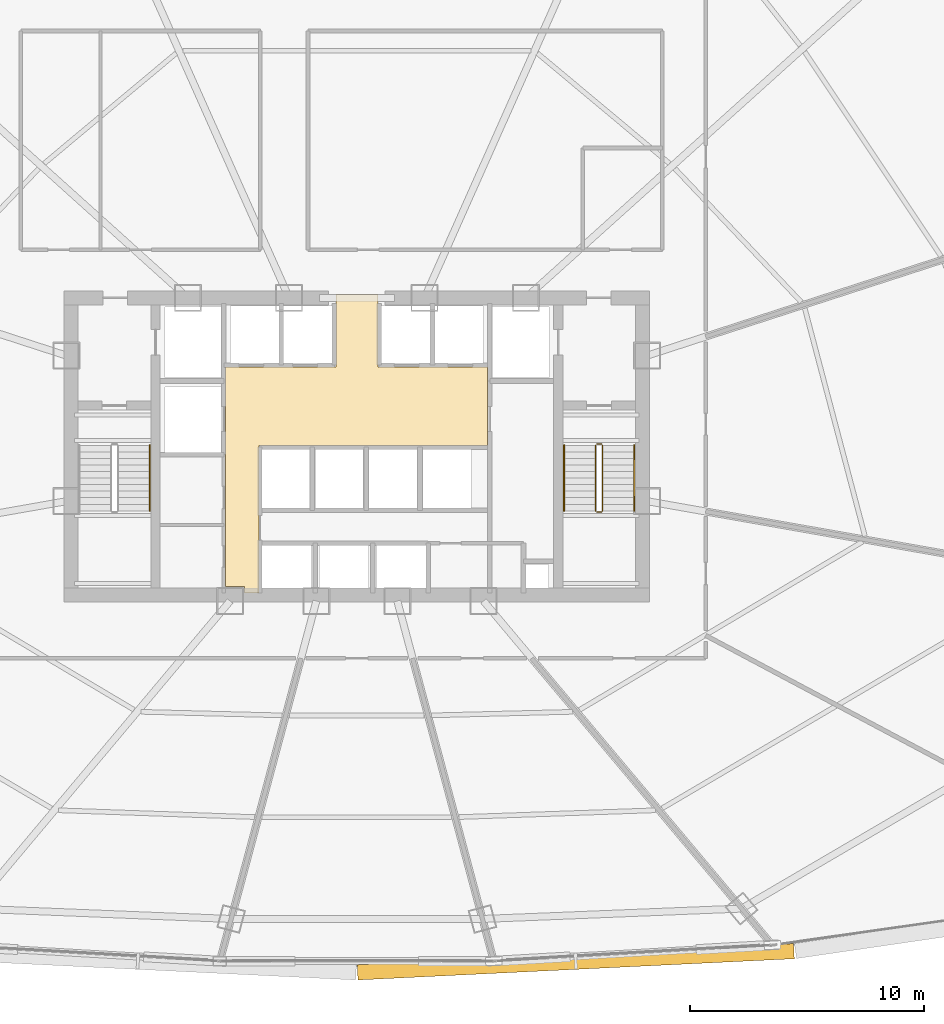
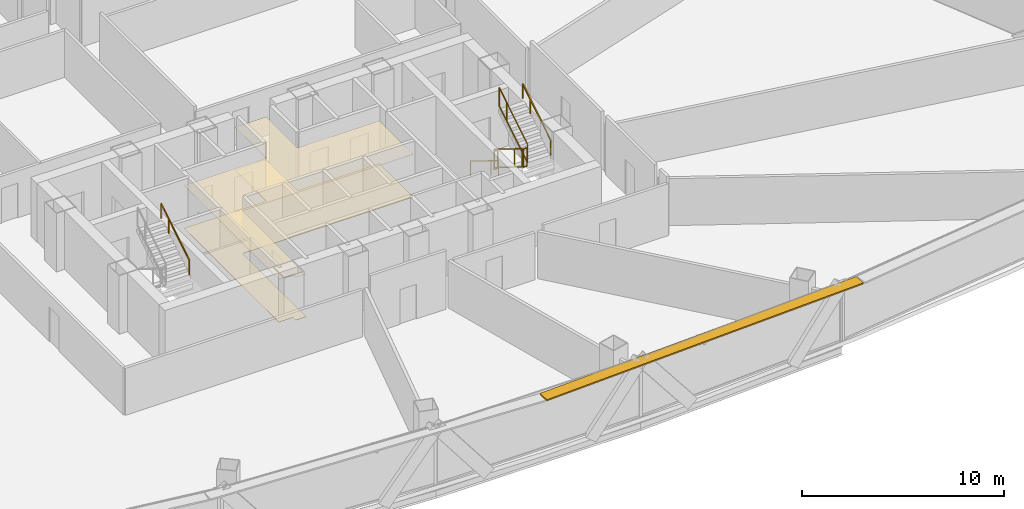
# One storey, part 37 of 39: 7 railings, 2 coverings, 1 shading device.
"""IFC4 building model written with IfcOpenShell, lengths in metres."""

from ifc_helpers import new_model, si_unit, direction, frame, origin, origin_2d, place, context, subcontext, project, spatial, polyline, rectangle, outline, extrude, source, transform, mapped, material, layer, layer_set, type_object, element, save


model = new_model("IFC4")

# Units and contexts
model_context = context("Model", 3, precision=1e-05, world=origin(), true_north=direction((0.0, 1.0)))
body_context = subcontext(model_context, "Body", "Model", "MODEL_VIEW")
ifc_project = project(units=[si_unit("LENGTHUNIT", "METRE"), si_unit("AREAUNIT", "SQUARE_METRE"), si_unit("VOLUMEUNIT", "CUBIC_METRE"), si_unit("PLANEANGLEUNIT", "RADIAN"), si_unit("MASSUNIT", "GRAM", prefix="KILO"), si_unit("THERMODYNAMICTEMPERATUREUNIT", "KELVIN"), si_unit("POWERUNIT", "WATT")], contexts=[model_context])

# Site, building, storey
site_placement = place(None, origin())
site = spatial("IfcSite", under=ifc_project, at=site_placement, CompositionType="ELEMENT")
building_placement = place(site_placement, origin())
building = spatial("IfcBuilding", under=site, at=building_placement, Name="Yunzhuo Pagoda Commons", CompositionType="ELEMENT")
storey_placement = place(building_placement, frame((0.0, 0.0, 92.580078125)))
storey = spatial("IfcBuildingStorey", under=building, at=storey_placement, Name="L23", CompositionType="ELEMENT", Elevation=92.580078125)

# Coverings
ifc_material_1 = material(Name="Mineral fibre acoustic ceiling board")
ifc_layer_1 = layer(ifc_material_1, 0.02490234375)
ifc_layer_set_1 = layer_set([ifc_layer_1], Name="Mineral fibre acoustic ceiling board")
covering_type_1 = type_object("IfcCoveringType", Name="COV-CL1 Ceiling 25", PredefinedType="CEILING", material=ifc_layer_set_1)
covering_1_placement = place(storey_placement, frame((0.0, 0.0, 2.58984375)))
element("IfcCovering", 1, at=covering_1_placement, inside=storey, type_object=covering_type_1, Name="L23 lift lobby acoustic ceiling", PredefinedType="CEILING", context=body_context, shape_type="SweptSolid", body=[
    extrude(outline(polyline([(43.207763671875, 27.85009765625), (43.201904296875, 27.864013671875), (43.187744140625, 27.8701171875), (42.39990234375, 27.8701171875), (42.39990234375, 33.89990234375), (42.39990234375, 37.25), (47.10009765625, 37.25), (47.10009765625, 40.35009765625), (48.89990234375, 40.35009765625), (48.89990234375, 37.25), (53.580078125, 37.25), (53.580078125, 33.89990234375), (43.820068359375, 33.89990234375), (43.820068359375, 27.60009765625), (43.207763671875, 27.60009765625), (43.207763671875, 27.85009765625)])), origin(), (0.0, 0.0, 1.0), 0.025146484375),
])
ifc_material_2 = material(Name="Porcelain ceramic floor tile")
ifc_layer_2 = layer(ifc_material_2, 0.02001953125)
ifc_layer_set_2 = layer_set([ifc_layer_2], Name="Porcelain ceramic floor tile")
covering_type_2 = type_object("IfcCoveringType", Name="COV-FL1 Flooring 20", PredefinedType="FLOORING", material=ifc_layer_set_2)
covering_2_placement = place(storey_placement, origin())
element("IfcCovering", 2, at=covering_2_placement, inside=storey, type_object=covering_type_2, Name="L23 lift lobby flooring", PredefinedType="FLOORING", context=body_context, shape_type="SweptSolid", body=[
    extrude(outline(polyline([(43.207763671875, 27.85009765625), (43.201904296875, 27.864013671875), (43.187744140625, 27.8701171875), (42.39990234375, 27.8701171875), (42.39990234375, 33.89990234375), (42.39990234375, 37.25), (47.10009765625, 37.25), (47.10009765625, 40.35009765625), (48.89990234375, 40.35009765625), (48.89990234375, 37.25), (53.580078125, 37.25), (53.580078125, 33.89990234375), (43.820068359375, 33.89990234375), (43.820068359375, 27.60009765625), (43.207763671875, 27.60009765625), (43.207763671875, 27.85009765625)])), origin(), (0.0, 0.0, 1.0), 0.02001953125),
])

# Railings
ifc_material_3 = material(Name="Anodized aluminium 6063-T6", Category="aluminium")
railing_type_1 = type_object("IfcRailingType", Name="GR-ST2 Stair Well Guardrail 1160", PredefinedType="GUARDRAIL", material=ifc_material_3)
railing_1_placement = place(storey_placement, frame((58.199951171875, 33.89990234375, 0.172607421875)))
element("IfcRailing", 3, at=railing_1_placement, inside=storey, type_object=railing_type_1, Name="L23 ST2 stair guard 1", PredefinedType="GUARDRAIL", context=body_context, shape_type="SweptSolid", body=[
    extrude(rectangle(XDim=0.048095703125, YDim=0.048095703125, at=origin_2d()), frame((0.0, 0.0, 1.1259765625), z_axis=(0.0, -0.851069175582, 0.525053576669), x_axis=(1.0, 0.0, 0.0)), (0.0, 0.0, 1.0), 3.289794921875),
    extrude(rectangle(XDim=0.048095703125, YDim=0.048095703125, at=origin_2d()), frame((0.0, 0.0, 0.02392578125), z_axis=(0.0, -0.851069175582, 0.525053576669), x_axis=(1.0, 0.0, 0.0)), (0.0, 0.0, 1.0), 3.289794921875),
    extrude(rectangle(XDim=0.0419921875, YDim=0.0419921875, at=origin_2d()), origin(), (0.0, 0.0, 1.0), 1.101806640625),
    extrude(rectangle(XDim=0.0419921875, YDim=0.0419921875, at=origin_2d()), frame((0.0, -2.04248046875, 1.260009765625)), (0.0, 0.0, 1.0), 1.101806640625),
    extrude(rectangle(XDim=0.0419921875, YDim=0.0419921875, at=origin_2d()), frame((0.0, -2.7998046875, 1.727294921875)), (0.0, 0.0, 1.0), 1.101806640625),
])
railing_2_placement = place(storey_placement, frame((58.25, 31.050048828125, 1.89990234375)))
element("IfcRailing", 4, at=railing_2_placement, inside=storey, type_object=railing_type_1, Name="L23 ST2 stair guard 2", PredefinedType="GUARDRAIL", context=body_context, shape_type="SweptSolid", body=[
    extrude(rectangle(XDim=0.048095703125, YDim=0.048095703125, at=origin_2d()), frame((0.0, 0.0, 1.1259765625), z_axis=(1.0, 0.0, 0.0), x_axis=(0.0, 1.0, 0.0)), (0.0, 0.0, 1.0), 0.199951171875),
    extrude(rectangle(XDim=0.048095703125, YDim=0.048095703125, at=origin_2d()), frame((0.0, 0.0, 0.02392578125), z_axis=(1.0, 0.0, 0.0), x_axis=(0.0, 1.0, 0.0)), (0.0, 0.0, 1.0), 0.199951171875),
    extrude(rectangle(XDim=0.0419921875, YDim=0.0419921875, at=origin_2d()), origin(), (0.0, 0.0, 1.0), 1.101806640625),
    extrude(rectangle(XDim=0.0419921875, YDim=0.0419921875, at=origin_2d()), frame((0.199951171875, 0.0, 0.0)), (0.0, 0.0, 1.0), 1.101806640625),
])
railing_3_placement = place(storey_placement, frame((58.5, 31.10009765625, 2.07275390625)))
element("IfcRailing", 5, at=railing_3_placement, inside=storey, type_object=railing_type_1, Name="L23 ST2 stair guard 3", PredefinedType="GUARDRAIL", context=body_context, shape_type="SweptSolid", body=[
    extrude(rectangle(XDim=0.048095703125, YDim=0.048095703125, at=origin_2d()), frame((0.0, 0.0, 1.1259765625), z_axis=(0.0, 0.851102337555, 0.524999820009), x_axis=(-1.0, 0.0, 0.0)), (0.0, 0.0, 1.0), 3.28955078125),
    extrude(rectangle(XDim=0.048095703125, YDim=0.048095703125, at=origin_2d()), frame((0.0, 0.0, 0.02392578125), z_axis=(0.0, 0.851102337555, 0.524999820009), x_axis=(-1.0, 0.0, 0.0)), (0.0, 0.0, 1.0), 3.28955078125),
    extrude(rectangle(XDim=0.0419921875, YDim=0.0419921875, at=origin_2d()), origin(), (0.0, 0.0, 1.0), 1.101806640625),
    extrude(rectangle(XDim=0.0419921875, YDim=0.0419921875, at=origin_2d()), frame((0.0, 2.042724609375, 1.260009765625)), (0.0, 0.0, 1.0), 1.101806640625),
    extrude(rectangle(XDim=0.0419921875, YDim=0.0419921875, at=origin_2d()), frame((0.0, 2.7998046875, 1.72705078125)), (0.0, 0.0, 1.0), 1.101806640625),
])
railing_4_placement = place(storey_placement, frame((58.25, 33.949951171875, 0.0)))
element("IfcRailing", 6, at=railing_4_placement, inside=storey, type_object=railing_type_1, Name="L23 ST2 stair guard 4", PredefinedType="GUARDRAIL", context=body_context, shape_type="SweptSolid", body=[
    extrude(rectangle(XDim=0.048095703125, YDim=0.048095703125, at=origin_2d()), frame((0.0, 0.0, 1.1259765625), z_axis=(1.0, 0.0, 0.0), x_axis=(0.0, 1.0, 0.0)), (0.0, 0.0, 1.0), 0.199951171875),
    extrude(rectangle(XDim=0.048095703125, YDim=0.048095703125, at=origin_2d()), frame((0.0, 0.0, 0.02392578125), z_axis=(1.0, 0.0, 0.0), x_axis=(0.0, 1.0, 0.0)), (0.0, 0.0, 1.0), 0.199951171875),
    extrude(rectangle(XDim=0.0419921875, YDim=0.0419921875, at=origin_2d()), origin(), (0.0, 0.0, 1.0), 1.101806640625),
    extrude(rectangle(XDim=0.0419921875, YDim=0.0419921875, at=origin_2d()), frame((0.199951171875, 0.0, 0.0)), (0.0, 0.0, 1.0), 1.101806640625),
])
railing_type_2 = type_object("IfcRailingType", Name="HR-ST1 Stair Handrail 900", PredefinedType="HANDRAIL", material=ifc_material_3)
railing_5_placement = place(storey_placement, frame((39.14990234375, 31.10009765625, 2.07275390625)))
element("IfcRailing", 7, at=railing_5_placement, inside=storey, type_object=railing_type_2, Name="L23 ST1 stair handrail 2", PredefinedType="HANDRAIL", context=body_context, shape_type="SweptSolid", body=[
    extrude(rectangle(XDim=0.048095703125, YDim=0.048095703125, at=origin_2d()), frame((0.0, 0.0, 0.8759765625), z_axis=(0.0, 0.851102337555, 0.524999820009), x_axis=(-1.0, 0.0, 0.0)), (0.0, 0.0, 1.0), 3.28955078125),
    extrude(rectangle(XDim=0.0419921875, YDim=0.0419921875, at=origin_2d()), origin(), (0.0, 0.0, 1.0), 0.851806640625),
    extrude(rectangle(XDim=0.0419921875, YDim=0.0419921875, at=origin_2d()), frame((0.0, 2.042724609375, 1.260009765625)), (0.0, 0.0, 1.0), 0.851806640625),
    extrude(rectangle(XDim=0.0419921875, YDim=0.0419921875, at=origin_2d()), frame((0.0, 2.7998046875, 1.72705078125)), (0.0, 0.0, 1.0), 0.851806640625),
])
railing_type_3 = type_object("IfcRailingType", Name="HR-ST2 Stair Handrail 900", PredefinedType="HANDRAIL", material=ifc_material_3)
railing_6_placement = place(storey_placement, frame((56.85009765625, 33.89990234375, 0.172607421875)))
element("IfcRailing", 8, at=railing_6_placement, inside=storey, type_object=railing_type_3, Name="L23 ST2 stair handrail 1", PredefinedType="HANDRAIL", context=body_context, shape_type="SweptSolid", body=[
    extrude(rectangle(XDim=0.048095703125, YDim=0.048095703125, at=origin_2d()), frame((0.0, 0.0, 0.8759765625), z_axis=(0.0, -0.851069175582, 0.525053576669), x_axis=(1.0, 0.0, 0.0)), (0.0, 0.0, 1.0), 3.289794921875),
    extrude(rectangle(XDim=0.0419921875, YDim=0.0419921875, at=origin_2d()), origin(), (0.0, 0.0, 1.0), 0.851806640625),
    extrude(rectangle(XDim=0.0419921875, YDim=0.0419921875, at=origin_2d()), frame((0.0, -2.04248046875, 1.260009765625)), (0.0, 0.0, 1.0), 0.851806640625),
    extrude(rectangle(XDim=0.0419921875, YDim=0.0419921875, at=origin_2d()), frame((0.0, -2.7998046875, 1.727294921875)), (0.0, 0.0, 1.0), 0.851806640625),
])
railing_7_placement = place(storey_placement, frame((59.85009765625, 31.10009765625, 2.07275390625)))
element("IfcRailing", 9, at=railing_7_placement, inside=storey, type_object=railing_type_3, Name="L23 ST2 stair handrail 2", PredefinedType="HANDRAIL", context=body_context, shape_type="SweptSolid", body=[
    extrude(rectangle(XDim=0.048095703125, YDim=0.048095703125, at=origin_2d()), frame((0.0, 0.0, 0.8759765625), z_axis=(0.0, 0.851102337555, 0.524999820009), x_axis=(-1.0, 0.0, 0.0)), (0.0, 0.0, 1.0), 3.28955078125),
    extrude(rectangle(XDim=0.0419921875, YDim=0.0419921875, at=origin_2d()), origin(), (0.0, 0.0, 1.0), 0.851806640625),
    extrude(rectangle(XDim=0.0419921875, YDim=0.0419921875, at=origin_2d()), frame((0.0, 2.042724609375, 1.260009765625)), (0.0, 0.0, 1.0), 0.851806640625),
    extrude(rectangle(XDim=0.0419921875, YDim=0.0419921875, at=origin_2d()), frame((0.0, 2.7998046875, 1.72705078125)), (0.0, 0.0, 1.0), 0.851806640625),
])

# Shading device
ifc_layer_3 = layer(ifc_material_3, 0.080078125)
ifc_layer_set_3 = layer_set([ifc_layer_3], Name="Anodized aluminium 6063-T6")
shading_device_type = type_object("IfcShadingDeviceType", Name="SH-SUN1 Pagoda Horizontal Sunshade Eave 650", PredefinedType="USERDEFINED", material=ifc_layer_set_3)
shared_shape = source(origin(), body_context, "Body", "SweptSolid", [
    extrude(rectangle(XDim=18.662109375, YDim=0.64990234375, at=origin_2d()), origin(), (0.0, 0.0, 1.0), 0.080078125),
])
shading_device_placement = place(storey_placement, frame((57.351806640625, 11.839599609375, 3.4599609375), z_axis=(0.0, 0.0, 1.0), x_axis=(0.998818043775, 0.04860571396, 0.0)))
element("IfcShadingDevice", 10, at=shading_device_placement, inside=storey, type_object=shading_device_type, Name="L23 horizontal pagoda sunshade eave F1.3", ObjectType="SUNSHADE", PredefinedType="USERDEFINED", context=body_context, shape_type="MappedRepresentation", body=[
    mapped(shared_shape, transform((0.0, 0.0, 0.0), scale=1.0)),
])

save(model, "model.ifc")
